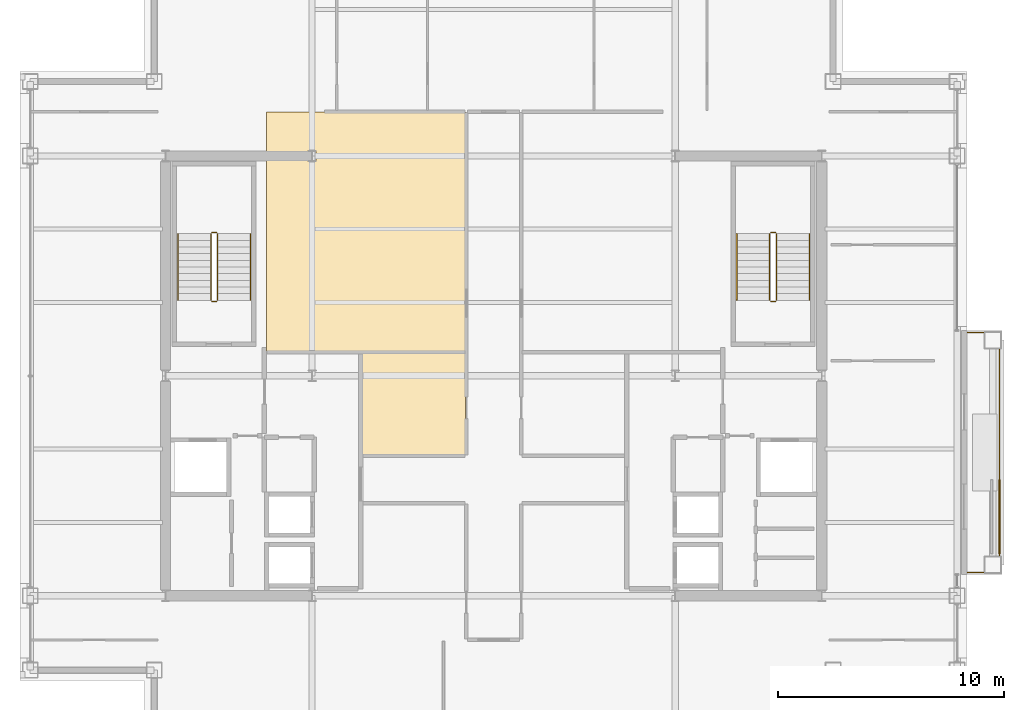
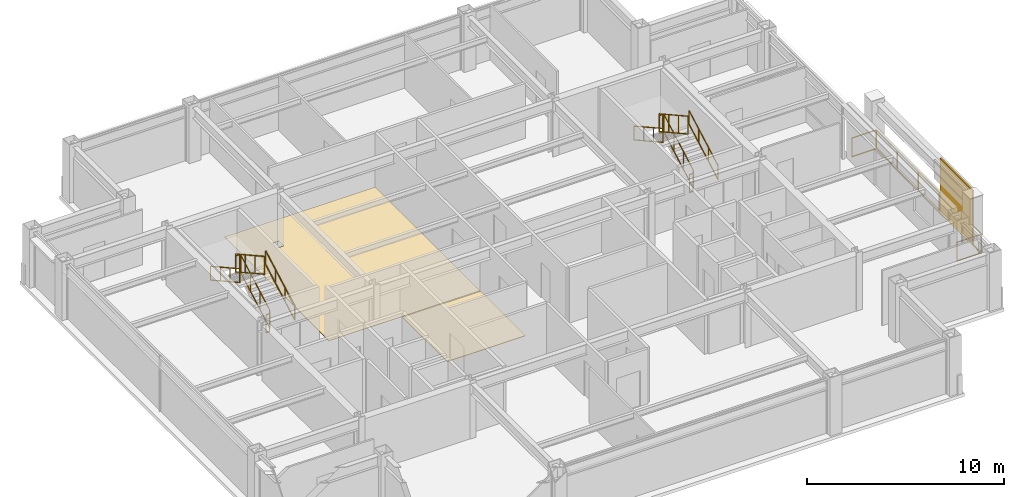
# One storey, part 28 of 29: 13 railings, 2 coverings, 1 shading device.
"""IFC4 building model written with IfcOpenShell, lengths in metres."""

from ifc_helpers import new_model, si_unit, direction, frame, origin, origin_2d, place, context, subcontext, project, spatial, polyline, rectangle, outline, extrude, material, layer, layer_set, type_object, element, save


model = new_model("IFC4")

# Units and contexts
model_context = context("Model", 3, precision=1e-05, world=origin(), true_north=direction((0.0, 1.0)))
body_context = subcontext(model_context, "Body", "Model", "MODEL_VIEW")
ifc_project = project(units=[si_unit("LENGTHUNIT", "METRE"), si_unit("AREAUNIT", "SQUARE_METRE"), si_unit("VOLUMEUNIT", "CUBIC_METRE"), si_unit("PLANEANGLEUNIT", "RADIAN"), si_unit("MASSUNIT", "GRAM", prefix="KILO")], contexts=[model_context])

# Site, building, storey
site_placement = place(None, origin())
site = spatial("IfcSite", under=ifc_project, at=site_placement, CompositionType="ELEMENT")
building_placement = place(site_placement, origin())
building = spatial("IfcBuilding", under=site, at=building_placement, Name="Brelmoor Portico Tower", CompositionType="ELEMENT")
storey_placement = place(building_placement, frame((0.0, 0.0, 201.89990234375)))
storey = spatial("IfcBuildingStorey", under=building, at=storey_placement, Name="L53", CompositionType="ELEMENT", Elevation=201.89990234375)

# Coverings
ifc_material_1 = material(Name="Polished Pale-Aggregate Cementitious Terrazzo", Category="stone")
ifc_layer_1 = layer(ifc_material_1, 0.030029296875)
ifc_layer_set_1 = layer_set([ifc_layer_1], Name="Polished Pale-Aggregate Cementitious Terrazzo")
covering_type_1 = type_object("IfcCoveringType", Name="CV-FLR-TERRAZZO-30", PredefinedType="FLOORING", material=ifc_layer_set_1)
covering_1_placement = place(storey_placement, origin())
element("IfcCovering", 1, at=covering_1_placement, inside=storey, type_object=covering_type_1, Name="L53 Architectural Floor Finish 02", PredefinedType="FLOORING", context=body_context, shape_type="SweptSolid", body=[
    extrude(outline(polyline([(-5.820068359375, -3.510009765625), (-5.820068359375, 1.0400390625), (-1.239990234375, 1.0400390625), (-1.239990234375, -3.510009765625), (-5.820068359375, -3.510009765625)])), origin(), (0.0, 0.0, 1.0), 0.030029296875),
])
ifc_material_2 = material(Name="Engineered Quarter-Sawn Oak Parquet Flooring", Category="timber")
ifc_layer_2 = layer(ifc_material_2, 0.02197265625)
ifc_layer_set_2 = layer_set([ifc_layer_2], Name="Engineered Quarter-Sawn Oak Parquet Flooring")
covering_type_2 = type_object("IfcCoveringType", Name="CV-FLR-TIMBER-22", PredefinedType="FLOORING", material=ifc_layer_set_2)
covering_2_placement = place(storey_placement, origin())
element("IfcCovering", 2, at=covering_2_placement, inside=storey, type_object=covering_type_2, Name="L53 Architectural Floor Finish 01", PredefinedType="FLOORING", context=body_context, shape_type="SweptSolid", body=[
    extrude(outline(polyline([(-10.080078125, 11.68994140625), (-1.239990234375, 11.68994140625), (-1.239990234375, 1.090087890625), (-10.080078125, 1.090087890625), (-10.080078125, 11.68994140625)]), holes=[polyline([(-7.875, 9.5), (-7.875, 10.0), (-8.22509765625, 10.0), (-8.22509765625, 9.5), (-7.875, 9.5)])]), origin(), (0.0, 0.0, 1.0), 0.022216796875),
])

# Railings
ifc_material_3 = material(Name="Perforated Pale Champagne Aluminium Fretwork Guard", Category="aluminium")
railing_type_1 = type_object("IfcRailingType", Name="RL-BALUSTRADE-1200", PredefinedType="BALUSTRADE", material=ifc_material_3)
railing_1_placement = place(storey_placement, frame((21.0, -8.719970703125, 0.0)))
element("IfcRailing", 3, at=railing_1_placement, inside=storey, type_object=railing_type_1, Name="L53 Tree Balcony Fretwork Balustrade E", PredefinedType="BALUSTRADE", context=body_context, shape_type="SweptSolid", body=[
    extrude(rectangle(XDim=0.048095703125, YDim=0.048095703125, at=origin_2d()), frame((0.0, 0.0, 1.17578125), z_axis=(1.0, 0.0, 0.0), x_axis=(0.0, 1.0, 0.0)), (0.0, 0.0, 1.0), 1.429931640625),
    extrude(rectangle(XDim=0.048095703125, YDim=0.048095703125, at=origin_2d()), frame((0.0, 0.0, 0.02392578125), z_axis=(1.0, 0.0, 0.0), x_axis=(0.0, 1.0, 0.0)), (0.0, 0.0, 1.0), 1.429931640625),
    extrude(rectangle(XDim=0.048095703125, YDim=0.048095703125, at=origin_2d()), frame((1.429931640625, 0.0, 1.17578125), z_axis=(0.0, 1.0, 0.0), x_axis=(-1.0, 0.0, 0.0)), (0.0, 0.0, 1.0), 10.639892578125),
    extrude(rectangle(XDim=0.048095703125, YDim=0.048095703125, at=origin_2d()), frame((1.429931640625, 0.0, 0.02392578125), z_axis=(0.0, 1.0, 0.0), x_axis=(-1.0, 0.0, 0.0)), (0.0, 0.0, 1.0), 10.639892578125),
    extrude(rectangle(XDim=0.048095703125, YDim=0.048095703125, at=origin_2d()), frame((1.429931640625, 10.639892578125, 1.17578125), z_axis=(-1.0, 0.0, 0.0), x_axis=(0.0, -1.0, 0.0)), (0.0, 0.0, 1.0), 1.429931640625),
    extrude(rectangle(XDim=0.048095703125, YDim=0.048095703125, at=origin_2d()), frame((1.429931640625, 10.639892578125, 0.02392578125), z_axis=(-1.0, 0.0, 0.0), x_axis=(0.0, -1.0, 0.0)), (0.0, 0.0, 1.0), 1.429931640625),
    extrude(rectangle(XDim=0.0419921875, YDim=0.0419921875, at=origin_2d()), origin(), (0.0, 0.0, 1.0), 1.15185546875),
    extrude(rectangle(XDim=0.0419921875, YDim=0.0419921875, at=origin_2d()), frame((1.429931640625, 0.0, 0.0)), (0.0, 0.0, 1.0), 1.15185546875),
    extrude(rectangle(XDim=0.0419921875, YDim=0.0419921875, at=origin_2d()), frame((1.429931640625, 2.1279296875, 0.0)), (0.0, 0.0, 1.0), 1.15185546875),
    extrude(rectangle(XDim=0.0419921875, YDim=0.0419921875, at=origin_2d()), frame((1.429931640625, 4.255859375, 0.0)), (0.0, 0.0, 1.0), 1.15185546875),
    extrude(rectangle(XDim=0.0419921875, YDim=0.0419921875, at=origin_2d()), frame((1.429931640625, 6.384033203125, 0.0)), (0.0, 0.0, 1.0), 1.15185546875),
    extrude(rectangle(XDim=0.0419921875, YDim=0.0419921875, at=origin_2d()), frame((1.429931640625, 8.511962890625, 0.0)), (0.0, 0.0, 1.0), 1.15185546875),
    extrude(rectangle(XDim=0.0419921875, YDim=0.0419921875, at=origin_2d()), frame((1.429931640625, 10.639892578125, 0.0)), (0.0, 0.0, 1.0), 1.15185546875),
    extrude(rectangle(XDim=0.0419921875, YDim=0.0419921875, at=origin_2d()), frame((0.0, 10.639892578125, 0.0)), (0.0, 0.0, 1.0), 1.15185546875),
])
ifc_material_4 = material(Name="Painted Tubular Steel Q235B", Category="steel")
railing_type_2 = type_object("IfcRailingType", Name="RL-STAIR-GUARD", PredefinedType="GUARDRAIL", material=ifc_material_4)
railing_2_placement = place(storey_placement, frame((-12.239990234375, 3.35009765625, 0.163818359375)))
element("IfcRailing", 4, at=railing_2_placement, inside=storey, type_object=railing_type_2, Name="L53 ST-W stair guard 1", PredefinedType="GUARDRAIL", context=body_context, shape_type="SweptSolid", body=[
    extrude(rectangle(XDim=0.048095703125, YDim=0.048095703125, at=origin_2d()), frame((0.0, 0.0, 1.1259765625), z_axis=(0.0, 0.87448821551, 0.485046761595), x_axis=(-1.0, 0.0, 0.0)), (0.0, 0.0, 1.0), 3.373291015625),
    extrude(rectangle(XDim=0.048095703125, YDim=0.048095703125, at=origin_2d()), frame((0.0, 0.0, 0.02392578125), z_axis=(0.0, 0.87448821551, 0.485046761595), x_axis=(-1.0, 0.0, 0.0)), (0.0, 0.0, 1.0), 3.373291015625),
    extrude(rectangle(XDim=0.0419921875, YDim=0.0419921875, at=origin_2d()), origin(), (0.0, 0.0, 1.0), 1.101806640625),
    extrude(rectangle(XDim=0.0419921875, YDim=0.0419921875, at=origin_2d()), frame((0.0, 0.9833984375, 0.54541015625)), (0.0, 0.0, 1.0), 1.101806640625),
    extrude(rectangle(XDim=0.0419921875, YDim=0.0419921875, at=origin_2d()), frame((0.0, 1.966552734375, 1.0908203125)), (0.0, 0.0, 1.0), 1.101806640625),
    extrude(rectangle(XDim=0.0419921875, YDim=0.0419921875, at=origin_2d()), frame((0.0, 2.949951171875, 1.63623046875)), (0.0, 0.0, 1.0), 1.101806640625),
])
railing_3_placement = place(storey_placement, frame((-12.2900390625, 6.35009765625, 1.800048828125)))
element("IfcRailing", 5, at=railing_3_placement, inside=storey, type_object=railing_type_2, Name="L53 ST-W stair guard 2", PredefinedType="GUARDRAIL", context=body_context, shape_type="SweptSolid", body=[
    extrude(rectangle(XDim=0.048095703125, YDim=0.048095703125, at=origin_2d()), frame((0.0, 0.0, 1.1259765625), z_axis=(-1.0, 0.0, 0.0), x_axis=(0.0, -1.0, 0.0)), (0.0, 0.0, 1.0), 0.199951171875),
    extrude(rectangle(XDim=0.048095703125, YDim=0.048095703125, at=origin_2d()), frame((0.0, 0.0, 0.02392578125), z_axis=(-1.0, 0.0, 0.0), x_axis=(0.0, -1.0, 0.0)), (0.0, 0.0, 1.0), 0.199951171875),
    extrude(rectangle(XDim=0.0419921875, YDim=0.0419921875, at=origin_2d()), origin(), (0.0, 0.0, 1.0), 1.101806640625),
    extrude(rectangle(XDim=0.0419921875, YDim=0.0419921875, at=origin_2d()), frame((-0.199951171875, 0.0, 0.0)), (0.0, 0.0, 1.0), 1.101806640625),
])
railing_4_placement = place(storey_placement, frame((-12.5400390625, 6.300048828125, 1.963623046875)))
element("IfcRailing", 6, at=railing_4_placement, inside=storey, type_object=railing_type_2, Name="L53 ST-W stair guard 3", PredefinedType="GUARDRAIL", context=body_context, shape_type="SweptSolid", body=[
    extrude(rectangle(XDim=0.048095703125, YDim=0.048095703125, at=origin_2d()), frame((0.0, 0.0, 1.1259765625), z_axis=(0.0, -0.874457516365, 0.485102104791), x_axis=(1.0, 0.0, 0.0)), (0.0, 0.0, 1.0), 3.37353515625),
    extrude(rectangle(XDim=0.048095703125, YDim=0.048095703125, at=origin_2d()), frame((0.0, 0.0, 0.02392578125), z_axis=(0.0, -0.874457516365, 0.485102104791), x_axis=(1.0, 0.0, 0.0)), (0.0, 0.0, 1.0), 3.37353515625),
    extrude(rectangle(XDim=0.0419921875, YDim=0.0419921875, at=origin_2d()), origin(), (0.0, 0.0, 1.0), 1.101806640625),
    extrude(rectangle(XDim=0.0419921875, YDim=0.0419921875, at=origin_2d()), frame((0.0, -0.9833984375, 0.54541015625)), (0.0, 0.0, 1.0), 1.101806640625),
    extrude(rectangle(XDim=0.0419921875, YDim=0.0419921875, at=origin_2d()), frame((0.0, -1.966552734375, 1.091064453125)), (0.0, 0.0, 1.0), 1.101806640625),
    extrude(rectangle(XDim=0.0419921875, YDim=0.0419921875, at=origin_2d()), frame((0.0, -2.949951171875, 1.636474609375)), (0.0, 0.0, 1.0), 1.101806640625),
])
railing_5_placement = place(storey_placement, frame((-12.2900390625, 3.300048828125, 0.0)))
element("IfcRailing", 7, at=railing_5_placement, inside=storey, type_object=railing_type_2, Name="L53 ST-W stair guard 4", PredefinedType="GUARDRAIL", context=body_context, shape_type="SweptSolid", body=[
    extrude(rectangle(XDim=0.048095703125, YDim=0.048095703125, at=origin_2d()), frame((0.0, 0.0, 1.1259765625), z_axis=(-1.0, 0.0, 0.0), x_axis=(0.0, -1.0, 0.0)), (0.0, 0.0, 1.0), 0.199951171875),
    extrude(rectangle(XDim=0.048095703125, YDim=0.048095703125, at=origin_2d()), frame((0.0, 0.0, 0.02392578125), z_axis=(-1.0, 0.0, 0.0), x_axis=(0.0, -1.0, 0.0)), (0.0, 0.0, 1.0), 0.199951171875),
    extrude(rectangle(XDim=0.0419921875, YDim=0.0419921875, at=origin_2d()), origin(), (0.0, 0.0, 1.0), 1.101806640625),
    extrude(rectangle(XDim=0.0419921875, YDim=0.0419921875, at=origin_2d()), frame((-0.199951171875, 0.0, 0.0)), (0.0, 0.0, 1.0), 1.101806640625),
])
railing_6_placement = place(storey_placement, frame((12.5400390625, 3.35009765625, 0.163818359375)))
element("IfcRailing", 8, at=railing_6_placement, inside=storey, type_object=railing_type_2, Name="L53 ST-E stair guard 1", PredefinedType="GUARDRAIL", context=body_context, shape_type="SweptSolid", body=[
    extrude(rectangle(XDim=0.048095703125, YDim=0.048095703125, at=origin_2d()), frame((0.0, 0.0, 1.1259765625), z_axis=(0.0, 0.87448821551, 0.485046761595), x_axis=(-1.0, 0.0, 0.0)), (0.0, 0.0, 1.0), 3.373291015625),
    extrude(rectangle(XDim=0.048095703125, YDim=0.048095703125, at=origin_2d()), frame((0.0, 0.0, 0.02392578125), z_axis=(0.0, 0.87448821551, 0.485046761595), x_axis=(-1.0, 0.0, 0.0)), (0.0, 0.0, 1.0), 3.373291015625),
    extrude(rectangle(XDim=0.0419921875, YDim=0.0419921875, at=origin_2d()), origin(), (0.0, 0.0, 1.0), 1.101806640625),
    extrude(rectangle(XDim=0.0419921875, YDim=0.0419921875, at=origin_2d()), frame((0.0, 0.9833984375, 0.54541015625)), (0.0, 0.0, 1.0), 1.101806640625),
    extrude(rectangle(XDim=0.0419921875, YDim=0.0419921875, at=origin_2d()), frame((0.0, 1.966552734375, 1.0908203125)), (0.0, 0.0, 1.0), 1.101806640625),
    extrude(rectangle(XDim=0.0419921875, YDim=0.0419921875, at=origin_2d()), frame((0.0, 2.949951171875, 1.63623046875)), (0.0, 0.0, 1.0), 1.101806640625),
])
railing_7_placement = place(storey_placement, frame((12.489990234375, 6.35009765625, 1.800048828125)))
element("IfcRailing", 9, at=railing_7_placement, inside=storey, type_object=railing_type_2, Name="L53 ST-E stair guard 2", PredefinedType="GUARDRAIL", context=body_context, shape_type="SweptSolid", body=[
    extrude(rectangle(XDim=0.048095703125, YDim=0.048095703125, at=origin_2d()), frame((0.0, 0.0, 1.1259765625), z_axis=(-1.0, 0.0, 0.0), x_axis=(0.0, -1.0, 0.0)), (0.0, 0.0, 1.0), 0.199951171875),
    extrude(rectangle(XDim=0.048095703125, YDim=0.048095703125, at=origin_2d()), frame((0.0, 0.0, 0.02392578125), z_axis=(-1.0, 0.0, 0.0), x_axis=(0.0, -1.0, 0.0)), (0.0, 0.0, 1.0), 0.199951171875),
    extrude(rectangle(XDim=0.0419921875, YDim=0.0419921875, at=origin_2d()), origin(), (0.0, 0.0, 1.0), 1.101806640625),
    extrude(rectangle(XDim=0.0419921875, YDim=0.0419921875, at=origin_2d()), frame((-0.199951171875, 0.0, 0.0)), (0.0, 0.0, 1.0), 1.101806640625),
])
railing_8_placement = place(storey_placement, frame((12.239990234375, 6.300048828125, 1.963623046875)))
element("IfcRailing", 10, at=railing_8_placement, inside=storey, type_object=railing_type_2, Name="L53 ST-E stair guard 3", PredefinedType="GUARDRAIL", context=body_context, shape_type="SweptSolid", body=[
    extrude(rectangle(XDim=0.048095703125, YDim=0.048095703125, at=origin_2d()), frame((0.0, 0.0, 1.1259765625), z_axis=(0.0, -0.874457516365, 0.485102104791), x_axis=(1.0, 0.0, 0.0)), (0.0, 0.0, 1.0), 3.37353515625),
    extrude(rectangle(XDim=0.048095703125, YDim=0.048095703125, at=origin_2d()), frame((0.0, 0.0, 0.02392578125), z_axis=(0.0, -0.874457516365, 0.485102104791), x_axis=(1.0, 0.0, 0.0)), (0.0, 0.0, 1.0), 3.37353515625),
    extrude(rectangle(XDim=0.0419921875, YDim=0.0419921875, at=origin_2d()), origin(), (0.0, 0.0, 1.0), 1.101806640625),
    extrude(rectangle(XDim=0.0419921875, YDim=0.0419921875, at=origin_2d()), frame((0.0, -0.9833984375, 0.54541015625)), (0.0, 0.0, 1.0), 1.101806640625),
    extrude(rectangle(XDim=0.0419921875, YDim=0.0419921875, at=origin_2d()), frame((0.0, -1.966552734375, 1.091064453125)), (0.0, 0.0, 1.0), 1.101806640625),
    extrude(rectangle(XDim=0.0419921875, YDim=0.0419921875, at=origin_2d()), frame((0.0, -2.949951171875, 1.636474609375)), (0.0, 0.0, 1.0), 1.101806640625),
])
railing_9_placement = place(storey_placement, frame((12.489990234375, 3.300048828125, 0.0)))
element("IfcRailing", 11, at=railing_9_placement, inside=storey, type_object=railing_type_2, Name="L53 ST-E stair guard 4", PredefinedType="GUARDRAIL", context=body_context, shape_type="SweptSolid", body=[
    extrude(rectangle(XDim=0.048095703125, YDim=0.048095703125, at=origin_2d()), frame((0.0, 0.0, 1.1259765625), z_axis=(-1.0, 0.0, 0.0), x_axis=(0.0, -1.0, 0.0)), (0.0, 0.0, 1.0), 0.199951171875),
    extrude(rectangle(XDim=0.048095703125, YDim=0.048095703125, at=origin_2d()), frame((0.0, 0.0, 0.02392578125), z_axis=(-1.0, 0.0, 0.0), x_axis=(0.0, -1.0, 0.0)), (0.0, 0.0, 1.0), 0.199951171875),
    extrude(rectangle(XDim=0.0419921875, YDim=0.0419921875, at=origin_2d()), origin(), (0.0, 0.0, 1.0), 1.101806640625),
    extrude(rectangle(XDim=0.0419921875, YDim=0.0419921875, at=origin_2d()), frame((-0.199951171875, 0.0, 0.0)), (0.0, 0.0, 1.0), 1.101806640625),
])
ifc_material_5 = material(Name="Brushed Stainless Steel 304", Category="steel")
railing_type_3 = type_object("IfcRailingType", Name="RL-STAIR-HANDRAIL", PredefinedType="HANDRAIL", material=ifc_material_5)
railing_10_placement = place(storey_placement, frame((-10.780029296875, 3.35009765625, 0.163818359375)))
element("IfcRailing", 12, at=railing_10_placement, inside=storey, type_object=railing_type_3, Name="L53 ST-W stair handrail 1", PredefinedType="HANDRAIL", context=body_context, shape_type="SweptSolid", body=[
    extrude(rectangle(XDim=0.048095703125, YDim=0.048095703125, at=origin_2d()), frame((0.0, 0.0, 0.8759765625), z_axis=(0.0, 0.87448821551, 0.485046761595), x_axis=(-1.0, 0.0, 0.0)), (0.0, 0.0, 1.0), 3.373291015625),
    extrude(rectangle(XDim=0.048095703125, YDim=0.048095703125, at=origin_2d()), frame((0.0, 0.0, 0.02392578125), z_axis=(0.0, 0.87448821551, 0.485046761595), x_axis=(-1.0, 0.0, 0.0)), (0.0, 0.0, 1.0), 3.373291015625),
    extrude(rectangle(XDim=0.0419921875, YDim=0.0419921875, at=origin_2d()), origin(), (0.0, 0.0, 1.0), 0.851806640625),
    extrude(rectangle(XDim=0.0419921875, YDim=0.0419921875, at=origin_2d()), frame((0.0, 0.9833984375, 0.54541015625)), (0.0, 0.0, 1.0), 0.851806640625),
    extrude(rectangle(XDim=0.0419921875, YDim=0.0419921875, at=origin_2d()), frame((0.0, 1.966552734375, 1.0908203125)), (0.0, 0.0, 1.0), 0.851806640625),
    extrude(rectangle(XDim=0.0419921875, YDim=0.0419921875, at=origin_2d()), frame((0.0, 2.949951171875, 1.63623046875)), (0.0, 0.0, 1.0), 0.851806640625),
])
railing_11_placement = place(storey_placement, frame((-14.0, 6.300048828125, 1.963623046875)))
element("IfcRailing", 13, at=railing_11_placement, inside=storey, type_object=railing_type_3, Name="L53 ST-W stair handrail 2", PredefinedType="HANDRAIL", context=body_context, shape_type="SweptSolid", body=[
    extrude(rectangle(XDim=0.048095703125, YDim=0.048095703125, at=origin_2d()), frame((0.0, 0.0, 0.8759765625), z_axis=(0.0, -0.874457516365, 0.485102104791), x_axis=(1.0, 0.0, 0.0)), (0.0, 0.0, 1.0), 3.37353515625),
    extrude(rectangle(XDim=0.048095703125, YDim=0.048095703125, at=origin_2d()), frame((0.0, 0.0, 0.02392578125), z_axis=(0.0, -0.874457516365, 0.485102104791), x_axis=(1.0, 0.0, 0.0)), (0.0, 0.0, 1.0), 3.37353515625),
    extrude(rectangle(XDim=0.0419921875, YDim=0.0419921875, at=origin_2d()), origin(), (0.0, 0.0, 1.0), 0.851806640625),
    extrude(rectangle(XDim=0.0419921875, YDim=0.0419921875, at=origin_2d()), frame((0.0, -0.9833984375, 0.54541015625)), (0.0, 0.0, 1.0), 0.851806640625),
    extrude(rectangle(XDim=0.0419921875, YDim=0.0419921875, at=origin_2d()), frame((0.0, -1.966552734375, 1.091064453125)), (0.0, 0.0, 1.0), 0.851806640625),
    extrude(rectangle(XDim=0.0419921875, YDim=0.0419921875, at=origin_2d()), frame((0.0, -2.949951171875, 1.636474609375)), (0.0, 0.0, 1.0), 0.851806640625),
])
railing_12_placement = place(storey_placement, frame((14.0, 3.35009765625, 0.163818359375)))
element("IfcRailing", 14, at=railing_12_placement, inside=storey, type_object=railing_type_3, Name="L53 ST-E stair handrail 1", PredefinedType="HANDRAIL", context=body_context, shape_type="SweptSolid", body=[
    extrude(rectangle(XDim=0.048095703125, YDim=0.048095703125, at=origin_2d()), frame((0.0, 0.0, 0.8759765625), z_axis=(0.0, 0.87448821551, 0.485046761595), x_axis=(-1.0, 0.0, 0.0)), (0.0, 0.0, 1.0), 3.373291015625),
    extrude(rectangle(XDim=0.048095703125, YDim=0.048095703125, at=origin_2d()), frame((0.0, 0.0, 0.02392578125), z_axis=(0.0, 0.87448821551, 0.485046761595), x_axis=(-1.0, 0.0, 0.0)), (0.0, 0.0, 1.0), 3.373291015625),
    extrude(rectangle(XDim=0.0419921875, YDim=0.0419921875, at=origin_2d()), origin(), (0.0, 0.0, 1.0), 0.851806640625),
    extrude(rectangle(XDim=0.0419921875, YDim=0.0419921875, at=origin_2d()), frame((0.0, 0.9833984375, 0.54541015625)), (0.0, 0.0, 1.0), 0.851806640625),
    extrude(rectangle(XDim=0.0419921875, YDim=0.0419921875, at=origin_2d()), frame((0.0, 1.966552734375, 1.0908203125)), (0.0, 0.0, 1.0), 0.851806640625),
    extrude(rectangle(XDim=0.0419921875, YDim=0.0419921875, at=origin_2d()), frame((0.0, 2.949951171875, 1.63623046875)), (0.0, 0.0, 1.0), 0.851806640625),
])
railing_13_placement = place(storey_placement, frame((10.780029296875, 6.300048828125, 1.963623046875)))
element("IfcRailing", 15, at=railing_13_placement, inside=storey, type_object=railing_type_3, Name="L53 ST-E stair handrail 2", PredefinedType="HANDRAIL", context=body_context, shape_type="SweptSolid", body=[
    extrude(rectangle(XDim=0.048095703125, YDim=0.048095703125, at=origin_2d()), frame((0.0, 0.0, 0.8759765625), z_axis=(0.0, -0.874457516365, 0.485102104791), x_axis=(1.0, 0.0, 0.0)), (0.0, 0.0, 1.0), 3.37353515625),
    extrude(rectangle(XDim=0.048095703125, YDim=0.048095703125, at=origin_2d()), frame((0.0, 0.0, 0.02392578125), z_axis=(0.0, -0.874457516365, 0.485102104791), x_axis=(1.0, 0.0, 0.0)), (0.0, 0.0, 1.0), 3.37353515625),
    extrude(rectangle(XDim=0.0419921875, YDim=0.0419921875, at=origin_2d()), origin(), (0.0, 0.0, 1.0), 0.851806640625),
    extrude(rectangle(XDim=0.0419921875, YDim=0.0419921875, at=origin_2d()), frame((0.0, -0.9833984375, 0.54541015625)), (0.0, 0.0, 1.0), 0.851806640625),
    extrude(rectangle(XDim=0.0419921875, YDim=0.0419921875, at=origin_2d()), frame((0.0, -1.966552734375, 1.091064453125)), (0.0, 0.0, 1.0), 0.851806640625),
    extrude(rectangle(XDim=0.0419921875, YDim=0.0419921875, at=origin_2d()), frame((0.0, -2.949951171875, 1.636474609375)), (0.0, 0.0, 1.0), 0.851806640625),
])

# Shading device
ifc_material_6 = material(Name="Powder-Coated Aluminium Shuttered Jalousie", Category="aluminium")
ifc_layer_3 = layer(ifc_material_6, 0.080078125)
ifc_layer_set_3 = layer_set([ifc_layer_3], Name="Powder-Coated Aluminium Shuttered Jalousie")
shading_device_type = type_object("IfcShadingDeviceType", Name="SD-JALOUSIE-LOGGIA", PredefinedType="JALOUSIE", material=ifc_layer_set_3)
shading_device_placement = place(storey_placement, frame((22.429931640625, -6.25, 0.000244140625), z_axis=(0.0, 0.0, 1.0), x_axis=(0.0, 1.0, 0.0)))
element("IfcShadingDevice", 16, at=shading_device_placement, inside=storey, type_object=shading_device_type, Name="L53 Loggia Shuttered Jalousie E", PredefinedType="JALOUSIE", context=body_context, shape_type="SweptSolid", body=[
    extrude(rectangle(XDim=3.300048828125, YDim=0.080078125, at=origin_2d()), origin(), (0.0, 0.0, 1.0), 3.39990234375),
])

save(model, "model.ifc")
